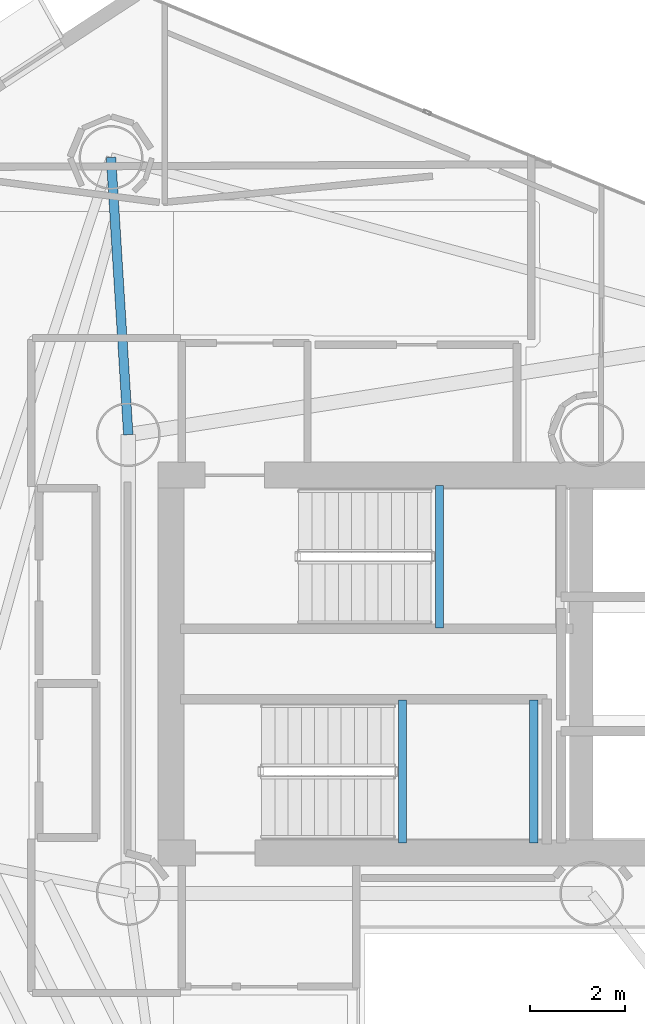
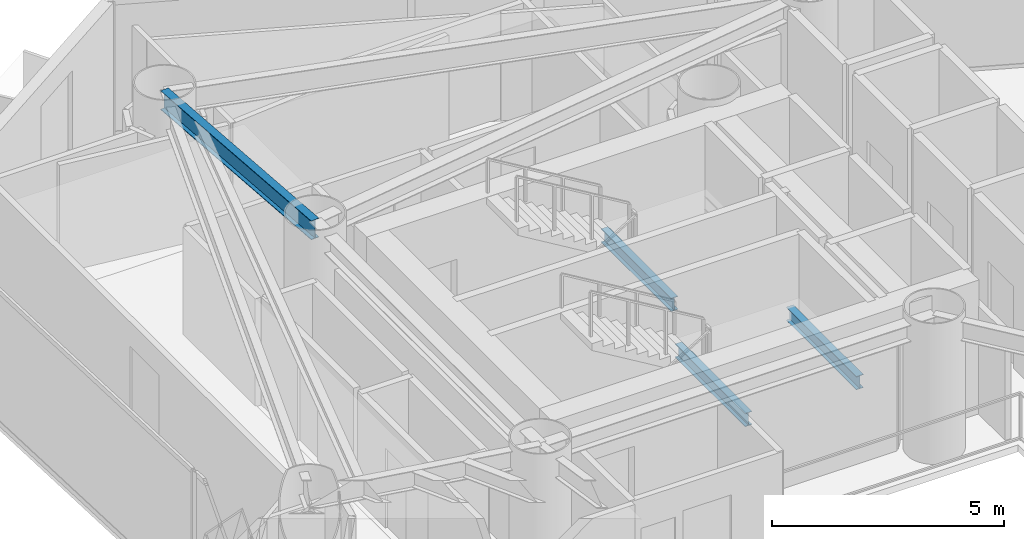
# One storey, part 10 of 23: 4 beams.
"""IFC4 building model written with IfcOpenShell, lengths in metres."""

from ifc_helpers import new_model, si_unit, direction, frame, origin, origin_2d, place, context, subcontext, project, spatial, i_section, extrude, material, material_profile, profile_set, type_object, element, save


model = new_model("IFC4")

# Units and contexts
model_context = context("Model", 3, precision=1e-05, world=origin(), true_north=direction((0.0, 1.0)))
body_context = subcontext(model_context, "Body", "Model", "MODEL_VIEW")
ifc_project = project(units=[si_unit("LENGTHUNIT", "METRE"), si_unit("AREAUNIT", "SQUARE_METRE"), si_unit("VOLUMEUNIT", "CUBIC_METRE"), si_unit("PLANEANGLEUNIT", "RADIAN"), si_unit("MASSUNIT", "GRAM", prefix="KILO")], contexts=[model_context])

# Site, building, storey
site_placement = place(None, origin())
site = spatial("IfcSite", under=ifc_project, at=site_placement, CompositionType="ELEMENT")
building_placement = place(site_placement, origin())
building = spatial("IfcBuilding", under=site, at=building_placement, Name="Qianvela Tower", CompositionType="ELEMENT")
storey_placement = place(building_placement, frame((0.0, 0.0, 162.39990234375)))
storey = spatial("IfcBuildingStorey", under=building, at=storey_placement, Name="L41", CompositionType="ELEMENT", Elevation=162.39990234375)

# Beams
ifc_material_1 = material(Name="Steel Q355B", Category="steel")
ifc_material_profile_1 = material_profile(ifc_material_1, i_section(OverallWidth=0.175048828125, OverallDepth=0.35009765625, WebThickness=0.007080078125, FlangeThickness=0.010986328125, at=origin_2d()), Name="HN350x175x7x11")
ifc_profile_set_1 = profile_set([ifc_material_profile_1], Name="Steel Q355B")
beam_type_1 = type_object("IfcBeamType", Name="BM-HN350-JOIST", PredefinedType="JOIST", material=ifc_profile_set_1)
for number, where, z_axis, x_axis, name in (
    (1, (35.179931640625, 29.4599609375, 1.47509765625), (0.0, 1.0, 0.0), (-1.0, 0.0, 0.0), "L41 Stair ST-1 Landing Support Beam 1.1"),
    (2, (34.39990234375, 24.919921875, 1.47509765625), (0.0, 1.0, 0.0), (-1.0, 0.0, 0.0), "L41 Stair ST-2 Landing Support Beam 1.1"),
    (3, (37.169921875, 24.919921875, 1.47509765625), (0.0, 1.0, 0.0), (-1.0, 0.0, 0.0), "L41 Stair ST-2 Landing Support Beam 1.2"),
):
    element("IfcBeam", number, at=place(storey_placement, frame(where, z_axis=z_axis, x_axis=x_axis)), inside=storey, type_object=beam_type_1, Name=name, PredefinedType="JOIST", context=body_context, shape_type="SweptSolid", body=[
        extrude(i_section(OverallWidth=0.175048828125, OverallDepth=0.35009765625, WebThickness=0.007080078125, FlangeThickness=0.010986328125, at=origin_2d()), origin(), (0.0, 0.0, 1.0), 3.02001953125),
    ])
ifc_material_2 = material(Name="Steel Q355B", Category="steel")
ifc_material_profile_2 = material_profile(ifc_material_2, i_section(OverallWidth=0.199951171875, OverallDepth=0.5, WebThickness=0.010009765625, FlangeThickness=0.01611328125, at=origin_2d()), Name="HN500x200x10x16")
ifc_profile_set_2 = profile_set([ifc_material_profile_2], Name="Steel Q355B")
beam_type_2 = type_object("IfcBeamType", Name="BM-HN500-GIRD", PredefinedType="BEAM", material=ifc_profile_set_2)
beam_placement = place(storey_placement, frame((28.60009765625, 33.550048828125, 3.26806640625), z_axis=(-0.0621556847, 0.998066466153, 0.0), x_axis=(-0.998066466153, -0.0621556847, 0.0)))
element("IfcBeam", 4, at=beam_placement, inside=storey, type_object=beam_type_2, Name="L41 Radial Primary Floor Girder 3", PredefinedType="BEAM", context=body_context, shape_type="SweptSolid", body=[
    extrude(i_section(OverallWidth=0.199951171875, OverallDepth=0.5, WebThickness=0.010009765625, FlangeThickness=0.01611328125, at=origin_2d()), origin(), (0.0, 0.0, 1.0), 5.872314453125),
])

save(model, "model.ifc")
